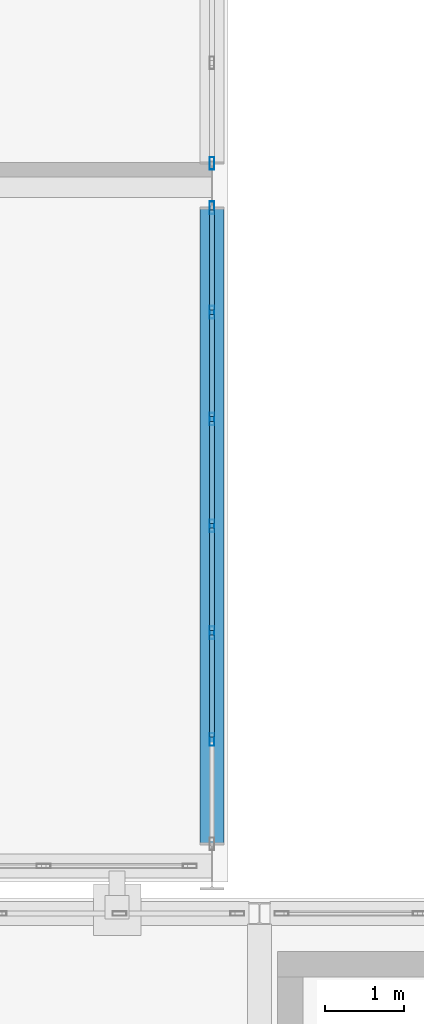
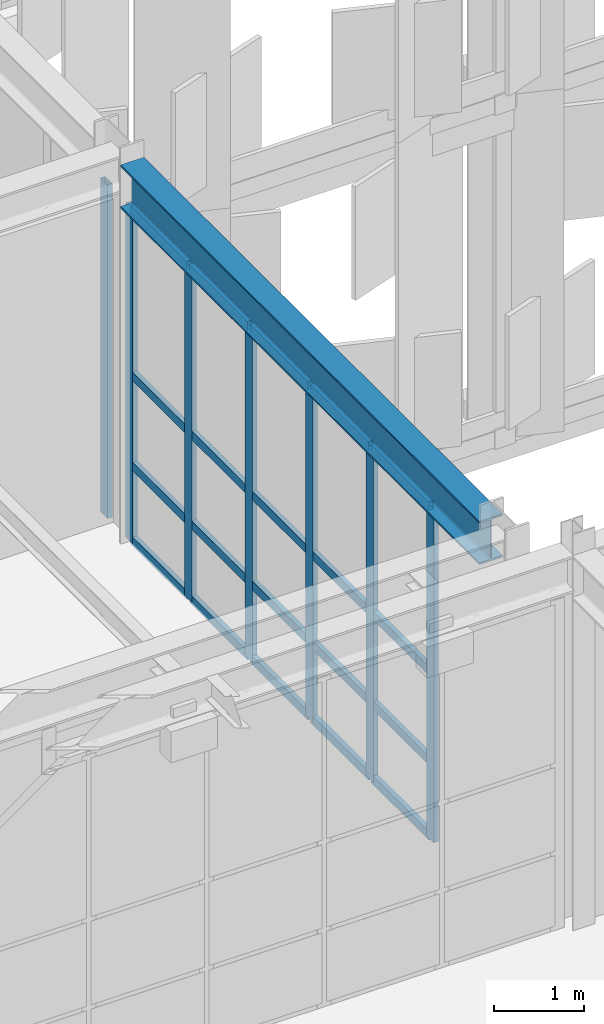
# One storey, part 148 of 239: 27 members, 1 beam, 2 elements without a shape of their own.
"""IFC4 building model written with IfcOpenShell, lengths in metres."""

import ifcopenshell
import ifcopenshell.guid

model = None  # the IFC model being written
_history = None  # IfcOwnerHistory: only IFC2X3 demands one
_inside = {}  # id of a spatial element -> (the spatial element, [elements in it])
_under = {}  # id of a project, library or spatial element -> (it, [spatial elements below it])
_declared = {}  # id of a project -> (the project, [libraries it declares])
_typed = {}  # id of a type object -> (the type object, [elements of that type])
_made_of = {}  # id of a material, layer set ... -> (it, [elements and type objects made of it])


def new_model(schema):
    """Start an empty IFC model of exactly this schema.

    Asked for "IFC4X3", IfcOpenShell would pick the latest addendum, in which some entities
    have other attributes; the version numbers below select the first issue.
    IFC2X3 requires an IfcOwnerHistory on every rooted entity: one is made here for all.
    """
    global model, _history
    if schema == "IFC4X3":
        model = ifcopenshell.file(schema_version=(4, 3, 0, 0))
    else:
        model = ifcopenshell.file(schema=schema)
    _inside.clear()
    _under.clear()
    _declared.clear()
    _typed.clear()
    _made_of.clear()
    _history = None
    if model.schema == "IFC2X3":
        org = make("IfcOrganization", Name="unknown")
        user = make(
            "IfcPersonAndOrganization",
            ThePerson=make("IfcPerson", FamilyName="unknown"),
            TheOrganization=org,
        )
        app = make(
            "IfcApplication",
            ApplicationDeveloper=org,
            Version="unknown",
            ApplicationFullName="unknown",
            ApplicationIdentifier="unknown",
        )
        _history = make(
            "IfcOwnerHistory",
            OwningUser=user,
            OwningApplication=app,
            ChangeAction="ADDED",
            CreationDate=0,
        )
    return model


def make(cls, **values):
    """One entity of the class cls with the attributes given. An attribute that is None is left unset."""
    return model.create_entity(
        cls, **{name: value for name, value in values.items() if value is not None}
    )


def rooted(cls, **values):
    """An entity with a GlobalId (a new one), such as an element, a storey or a relation."""
    return make(cls, GlobalId=ifcopenshell.guid.new(), OwnerHistory=_history, **values)


def si_unit(unit_type, name, prefix=None):
    """IfcSIUnit, for example si_unit("LENGTHUNIT", "METRE", prefix="MILLI")."""
    return make("IfcSIUnit", UnitType=unit_type, Prefix=prefix, Name=name)


def assignment(units):
    """IfcUnitAssignment: the units of a project."""
    return None if units is None else make("IfcUnitAssignment", Units=units)


def point(xyz):
    """IfcCartesianPoint."""
    return None if xyz is None else make("IfcCartesianPoint", Coordinates=xyz)


def direction(xyz):
    """IfcDirection."""
    return None if xyz is None else make("IfcDirection", DirectionRatios=xyz)


def frame(location, z_axis=None, x_axis=None):
    """IfcAxis2Placement3D, a coordinate frame: its origin and axes. An axis left out is left unset."""
    return make(
        "IfcAxis2Placement3D",
        Location=point(location),
        Axis=direction(z_axis),
        RefDirection=direction(x_axis),
    )


def frame_2d(location, x_axis=None):
    """IfcAxis2Placement2D, a coordinate frame in the plane: its origin and x axis."""
    return make(
        "IfcAxis2Placement2D", Location=point(location), RefDirection=direction(x_axis)
    )


def origin():
    """The frame at (0, 0, 0) with its axes left unset."""
    return frame((0.0, 0.0, 0.0))


def origin_2d():
    """The frame at (0, 0) in the plane with its x axis left unset."""
    return frame_2d((0.0, 0.0))


def place(relative_to, where):
    """IfcLocalPlacement: puts the frame where relative to a parent placement (None: the world)."""
    return make(
        "IfcLocalPlacement", PlacementRelTo=relative_to, RelativePlacement=where
    )


def context(
    kind, dimensions, precision=None, world=None, true_north=None, identifier=None
):
    """IfcGeometricRepresentationContext, for example the 3D "Model" context."""
    return make(
        "IfcGeometricRepresentationContext",
        ContextIdentifier=identifier,
        ContextType=kind,
        CoordinateSpaceDimension=dimensions,
        Precision=precision,
        WorldCoordinateSystem=world,
        TrueNorth=true_north,
    )


def subcontext(parent, identifier, kind, view, scale=None):
    """IfcGeometricRepresentationSubContext, for example "Body" below "Model"."""
    return make(
        "IfcGeometricRepresentationSubContext",
        ContextIdentifier=identifier,
        ContextType=kind,
        ParentContext=parent,
        TargetScale=scale,
        TargetView=view,
    )


def project(units=None, contexts=None):
    """IfcProject with its units and contexts."""
    return rooted(
        "IfcProject",
        Name="project",
        RepresentationContexts=contexts,
        UnitsInContext=assignment(units),
    )


def spatial(cls, under=None, at=None, **own):
    """A site, building, storey or space (cls), placed at a placement, below another one or the project."""
    s = rooted(cls, ObjectPlacement=at, **own)
    if under is not None:
        _under.setdefault(under.id(), (under, []))[1].append(s)
    return s


def profile(cls, at=None, kind="AREA", **sizes):
    """A parametric profile (cls). Its sizes go by their IFC names, for example OverallWidth=200.0."""
    return make(cls, ProfileType=kind, Position=at, **sizes)


def hollow_rectangle(**sizes):
    """IfcRectangleHollowProfileDef."""
    return profile("IfcRectangleHollowProfileDef", **sizes)


def i_section(**sizes):
    """IfcIShapeProfileDef."""
    return profile("IfcIShapeProfileDef", **sizes)


def extrude(swept, where, along, depth):
    """IfcExtrudedAreaSolid: the profile swept, set in the frame where, extruded along a direction by depth."""
    return make(
        "IfcExtrudedAreaSolid",
        SweptArea=swept,
        Position=where,
        ExtrudedDirection=direction(along),
        Depth=depth,
    )


def shape(context_of_items, identifier, shape_type, items):
    """IfcShapeRepresentation: the items that make up one representation, for example the "Body"."""
    return make(
        "IfcShapeRepresentation",
        ContextOfItems=context_of_items,
        RepresentationIdentifier=identifier,
        RepresentationType=shape_type,
        Items=items,
    )


def material(Name=None, Category=None):
    """IfcMaterial."""
    return make("IfcMaterial", Name=Name, Category=Category)


def material_profile(
    of_material, cross_section, Name=None, Category=None, Priority=None
):
    """IfcMaterialProfile: a cross section and its material."""
    return make(
        "IfcMaterialProfile",
        Name=Name,
        Material=of_material,
        Profile=cross_section,
        Priority=Priority,
        Category=Category,
    )


def profile_set(profiles, Name=None, composite=None):
    """IfcMaterialProfileSet."""
    return make(
        "IfcMaterialProfileSet",
        Name=Name,
        MaterialProfiles=profiles,
        CompositeProfile=composite,
    )


def made_of(thing, what):
    """Note that an element or type object is made of a material, layer set ...; save() writes the relation."""
    if what is not None:
        _made_of.setdefault(what.id(), (what, []))[1].append(thing)
    return thing


def type_object(cls, material=None, **own):
    """A type object (cls), such as IfcWallType, which elements share."""
    return made_of(rooted(cls, **own), material)


def element(
    cls,
    number,
    at=None,
    inside=None,
    cuts=None,
    type_object=None,
    material=None,
    context=None,
    identifier="Body",
    shape_type=None,
    held_by="IfcProductDefinitionShape",
    body=None,
    shapes=None,
    **own,
):
    """One element of the class cls, such as IfcWall. Its Tag is "e" and its number.

    at: its placement. inside: the storey or other place that contains it. cuts: it is an
    opening in that element (IfcRelVoidsElement). A single representation is given by context,
    identifier, shape_type and body (its items); several are given by shapes. held_by: the class
    of the entity that holds the representations. save() writes the other relations.
    """
    e = rooted(cls, Tag="e%d" % number, ObjectPlacement=at, **own)
    if body is not None:
        shapes = [shape(context, identifier, shape_type, body)]
    if shapes is not None:
        e.Representation = make(held_by, Representations=shapes)
    if inside is not None:
        _inside.setdefault(inside.id(), (inside, []))[1].append(e)
    if cuts is not None:
        rooted(
            "IfcRelVoidsElement", RelatingBuildingElement=cuts, RelatedOpeningElement=e
        )
    if type_object is not None:
        _typed.setdefault(type_object.id(), (type_object, []))[1].append(e)
    return made_of(e, material)


def aggregate(whole, parts):
    """IfcRelAggregates: a whole, such as a stair, and the parts it consists of."""
    return rooted("IfcRelAggregates", RelatingObject=whole, RelatedObjects=parts)


def save(model, path):
    """Write the relations noted so far, then the file.

    IfcRelAggregates (storeys below a building ...), IfcRelContainedInSpatialStructure (elements
    in a storey), IfcRelDefinesByType, IfcRelAssociatesMaterial and IfcRelDeclares: one each for
    every whole, place, type object, material and project.
    """
    for whole, parts in _under.values():
        aggregate(whole, parts)
    for where, things in _inside.values():
        rooted(
            "IfcRelContainedInSpatialStructure",
            RelatedElements=things,
            RelatingStructure=where,
        )
    for kind, things in _typed.values():
        rooted("IfcRelDefinesByType", RelatedObjects=things, RelatingType=kind)
    for what, things in _made_of.values():
        rooted("IfcRelAssociatesMaterial", RelatedObjects=things, RelatingMaterial=what)
    for by, libraries in _declared.values():
        rooted("IfcRelDeclares", RelatingContext=by, RelatedDefinitions=libraries)
    model.write(path)


model = new_model("IFC4")

# Units and contexts
model_context = context("Model", 3, precision=1e-05, world=origin(), true_north=direction((0.0, 1.0)))
body_context = subcontext(model_context, "Body", "Model", "MODEL_VIEW")
ifc_project = project(units=[si_unit("LENGTHUNIT", "METRE"), si_unit("AREAUNIT", "SQUARE_METRE"), si_unit("VOLUMEUNIT", "CUBIC_METRE"), si_unit("PLANEANGLEUNIT", "RADIAN"), si_unit("MASSUNIT", "GRAM", prefix="KILO")], contexts=[model_context])

# Site, building, storey
site_placement = place(None, origin())
site = spatial("IfcSite", under=ifc_project, at=site_placement, CompositionType="ELEMENT")
building_placement = place(site_placement, origin())
building = spatial("IfcBuilding", under=site, at=building_placement, Name="Kaldris Quays Convention Centre", CompositionType="ELEMENT")
storey_placement = place(building_placement, frame((0.0, 0.0, 11.39990234375)))
storey = spatial("IfcBuildingStorey", under=building, at=storey_placement, Name="L02", CompositionType="ELEMENT", Elevation=11.39990234375)

# Curtain wall, members
ifc_material_1 = material(Name="Anodized aluminium AW-6060 and triple glazing", Category="aluminium")
curtain_wall_type = type_object("IfcCurtainWallType", Name="UNITISED CURTAIN WALL CW04", PredefinedType="NOTDEFINED", material=ifc_material_1)
curtain_wall_1_placement = place(storey_placement, origin())
curtain_wall_1 = element("IfcCurtainWall", 1, at=curtain_wall_1_placement, inside=storey, type_object=curtain_wall_type, Name="L02 Unitised Curtain Wall CW04 142", PredefinedType="NOTDEFINED")
ifc_material_2 = material(Name="Anodized aluminium AW-6060", Category="aluminium")
ifc_material_profile_1 = material_profile(ifc_material_2, hollow_rectangle(XDim=0.06005859375, YDim=0.159912109375, WallThickness=0.00390625, at=origin_2d()), Name="RHS 160x60x4")
ifc_profile_set_1 = profile_set([ifc_material_profile_1], Name="Anodized aluminium AW-6060")
member_type_1 = type_object("IfcMemberType", Name="CURTAIN MULLION CWM1", PredefinedType="MULLION", material=ifc_profile_set_1)
member_1_placement = place(storey_placement, frame((164.0, 39.60009765625, 0.0), z_axis=(0.0, 0.0, 1.0), x_axis=(-1.0, 0.0, 0.0)))
member_1 = element("IfcMember", 2, at=member_1_placement, type_object=member_type_1, Name="CW04 mullion 2", PredefinedType="MULLION", context=body_context, shape_type="SweptSolid", body=[
    extrude(hollow_rectangle(XDim=0.06005859375, YDim=0.159912109375, WallThickness=0.00390625, at=origin_2d()), origin(), (0.0, 0.0, 1.0), 4.548095703125),
])
member_2_placement = place(storey_placement, frame((164.0, 40.949951171875, 0.0), z_axis=(0.0, 0.0, 1.0), x_axis=(-1.0, 0.0, 0.0)))
member_2 = element("IfcMember", 3, at=member_2_placement, type_object=member_type_1, Name="CW04 mullion 3", PredefinedType="MULLION", context=body_context, shape_type="SweptSolid", body=[
    extrude(hollow_rectangle(XDim=0.06005859375, YDim=0.159912109375, WallThickness=0.00390625, at=origin_2d()), origin(), (0.0, 0.0, 1.0), 4.548095703125),
])
member_3_placement = place(storey_placement, frame((164.0, 42.300048828125, 0.0), z_axis=(0.0, 0.0, 1.0), x_axis=(-1.0, 0.0, 0.0)))
member_3 = element("IfcMember", 4, at=member_3_placement, type_object=member_type_1, Name="CW04 mullion 4", PredefinedType="MULLION", context=body_context, shape_type="SweptSolid", body=[
    extrude(hollow_rectangle(XDim=0.06005859375, YDim=0.159912109375, WallThickness=0.00390625, at=origin_2d()), origin(), (0.0, 0.0, 1.0), 4.548095703125),
])
member_4_placement = place(storey_placement, frame((164.0, 43.64990234375, 0.0), z_axis=(0.0, 0.0, 1.0), x_axis=(-1.0, 0.0, 0.0)))
member_4 = element("IfcMember", 5, at=member_4_placement, type_object=member_type_1, Name="CW04 mullion 5", PredefinedType="MULLION", context=body_context, shape_type="SweptSolid", body=[
    extrude(hollow_rectangle(XDim=0.06005859375, YDim=0.159912109375, WallThickness=0.00390625, at=origin_2d()), origin(), (0.0, 0.0, 1.0), 4.548095703125),
])
member_5_placement = place(storey_placement, frame((164.0, 45.0, 0.0), z_axis=(0.0, 0.0, 1.0), x_axis=(-1.0, 0.0, 0.0)))
member_5 = element("IfcMember", 6, at=member_5_placement, type_object=member_type_1, Name="CW04 mullion 6", PredefinedType="MULLION", context=body_context, shape_type="SweptSolid", body=[
    extrude(hollow_rectangle(XDim=0.06005859375, YDim=0.159912109375, WallThickness=0.00390625, at=origin_2d()), origin(), (0.0, 0.0, 1.0), 4.548095703125),
])
member_6_placement = place(storey_placement, frame((164.0, 46.320068359375, 0.0), z_axis=(0.0, 0.0, 1.0), x_axis=(-1.0, 0.0, 0.0)))
member_6 = element("IfcMember", 7, at=member_6_placement, type_object=member_type_1, Name="CW04 mullion 7", PredefinedType="MULLION", context=body_context, shape_type="SweptSolid", body=[
    extrude(hollow_rectangle(XDim=0.06005859375, YDim=0.159912109375, WallThickness=0.00390625, at=origin_2d()), origin(), (0.0, 0.0, 1.0), 4.548095703125),
])

# Curtain wall, member
curtain_wall_2_placement = place(storey_placement, origin())
curtain_wall_2 = element("IfcCurtainWall", 8, at=curtain_wall_2_placement, inside=storey, type_object=curtain_wall_type, Name="L02 Unitised Curtain Wall CW04 143", PredefinedType="NOTDEFINED")
member_7_placement = place(storey_placement, frame((164.0, 46.8798828125, 0.0), z_axis=(0.0, 0.0, 1.0), x_axis=(-1.0, 0.0, 0.0)))
member_7 = element("IfcMember", 9, at=member_7_placement, type_object=member_type_1, Name="CW04 mullion 1", PredefinedType="MULLION", context=body_context, shape_type="SweptSolid", body=[
    extrude(hollow_rectangle(XDim=0.06005859375, YDim=0.159912109375, WallThickness=0.00390625, at=origin_2d()), origin(), (0.0, 0.0, 1.0), 4.548095703125),
])
aggregate(curtain_wall_2, [member_7])

# Member
ifc_material_profile_2 = material_profile(ifc_material_2, hollow_rectangle(XDim=0.06005859375, YDim=0.1201171875, WallThickness=0.00390625, at=origin_2d()), Name="RHS 120x60x4")
ifc_profile_set_2 = profile_set([ifc_material_profile_2], Name="Anodized aluminium AW-6060")
member_type_2 = type_object("IfcMemberType", Name="CURTAIN TRANSOM CWT1", PredefinedType="USERDEFINED", material=ifc_profile_set_2)
member_8_placement = place(storey_placement, frame((164.0, 39.6298828125, 0.030029296875), z_axis=(0.0, 1.0, 0.0), x_axis=(-1.0, 0.0, 0.0)))
member_8 = element("IfcMember", 10, at=member_8_placement, type_object=member_type_2, Name="CW04 transom 2.1", ObjectType="TRANSOM", PredefinedType="USERDEFINED", context=body_context, shape_type="SweptSolid", body=[
    extrude(hollow_rectangle(XDim=0.06005859375, YDim=0.1201171875, WallThickness=0.00390625, at=origin_2d()), origin(), (0.0, 0.0, 1.0), 1.2900390625),
])

member_9_placement = place(storey_placement, frame((164.0, 39.6298828125, 1.050048828125), z_axis=(0.0, 1.0, 0.0), x_axis=(-1.0, 0.0, 0.0)))
member_9 = element("IfcMember", 11, at=member_9_placement, type_object=member_type_2, Name="CW04 transom 2.2", ObjectType="TRANSOM", PredefinedType="USERDEFINED", context=body_context, shape_type="SweptSolid", body=[
    extrude(hollow_rectangle(XDim=0.06005859375, YDim=0.1201171875, WallThickness=0.00390625, at=origin_2d()), origin(), (0.0, 0.0, 1.0), 1.2900390625),
])

member_10_placement = place(storey_placement, frame((164.0, 39.6298828125, 2.274169921875), z_axis=(0.0, 1.0, 0.0), x_axis=(-1.0, 0.0, 0.0)))
member_10 = element("IfcMember", 12, at=member_10_placement, type_object=member_type_2, Name="CW04 transom 2.3", ObjectType="TRANSOM", PredefinedType="USERDEFINED", context=body_context, shape_type="SweptSolid", body=[
    extrude(hollow_rectangle(XDim=0.06005859375, YDim=0.1201171875, WallThickness=0.00390625, at=origin_2d()), origin(), (0.0, 0.0, 1.0), 1.2900390625),
])

member_11_placement = place(storey_placement, frame((164.0, 39.6298828125, 4.51806640625), z_axis=(0.0, 1.0, 0.0), x_axis=(-1.0, 0.0, 0.0)))
member_11 = element("IfcMember", 13, at=member_11_placement, type_object=member_type_2, Name="CW04 transom 2.4", ObjectType="TRANSOM", PredefinedType="USERDEFINED", context=body_context, shape_type="SweptSolid", body=[
    extrude(hollow_rectangle(XDim=0.06005859375, YDim=0.1201171875, WallThickness=0.00390625, at=origin_2d()), origin(), (0.0, 0.0, 1.0), 1.2900390625),
])

member_12_placement = place(storey_placement, frame((164.0, 40.97998046875, 0.030029296875), z_axis=(0.0, 1.0, 0.0), x_axis=(-1.0, 0.0, 0.0)))
member_12 = element("IfcMember", 14, at=member_12_placement, type_object=member_type_2, Name="CW04 transom 3.1", ObjectType="TRANSOM", PredefinedType="USERDEFINED", context=body_context, shape_type="SweptSolid", body=[
    extrude(hollow_rectangle(XDim=0.06005859375, YDim=0.1201171875, WallThickness=0.00390625, at=origin_2d()), origin(), (0.0, 0.0, 1.0), 1.2900390625),
])

member_13_placement = place(storey_placement, frame((164.0, 40.97998046875, 1.050048828125), z_axis=(0.0, 1.0, 0.0), x_axis=(-1.0, 0.0, 0.0)))
member_13 = element("IfcMember", 15, at=member_13_placement, type_object=member_type_2, Name="CW04 transom 3.2", ObjectType="TRANSOM", PredefinedType="USERDEFINED", context=body_context, shape_type="SweptSolid", body=[
    extrude(hollow_rectangle(XDim=0.06005859375, YDim=0.1201171875, WallThickness=0.00390625, at=origin_2d()), origin(), (0.0, 0.0, 1.0), 1.2900390625),
])

member_14_placement = place(storey_placement, frame((164.0, 40.97998046875, 2.274169921875), z_axis=(0.0, 1.0, 0.0), x_axis=(-1.0, 0.0, 0.0)))
member_14 = element("IfcMember", 16, at=member_14_placement, type_object=member_type_2, Name="CW04 transom 3.3", ObjectType="TRANSOM", PredefinedType="USERDEFINED", context=body_context, shape_type="SweptSolid", body=[
    extrude(hollow_rectangle(XDim=0.06005859375, YDim=0.1201171875, WallThickness=0.00390625, at=origin_2d()), origin(), (0.0, 0.0, 1.0), 1.2900390625),
])

member_15_placement = place(storey_placement, frame((164.0, 40.97998046875, 4.51806640625), z_axis=(0.0, 1.0, 0.0), x_axis=(-1.0, 0.0, 0.0)))
member_15 = element("IfcMember", 17, at=member_15_placement, type_object=member_type_2, Name="CW04 transom 3.4", ObjectType="TRANSOM", PredefinedType="USERDEFINED", context=body_context, shape_type="SweptSolid", body=[
    extrude(hollow_rectangle(XDim=0.06005859375, YDim=0.1201171875, WallThickness=0.00390625, at=origin_2d()), origin(), (0.0, 0.0, 1.0), 1.2900390625),
])

member_16_placement = place(storey_placement, frame((164.0, 42.330078125, 0.030029296875), z_axis=(0.0, 1.0, 0.0), x_axis=(-1.0, 0.0, 0.0)))
member_16 = element("IfcMember", 18, at=member_16_placement, type_object=member_type_2, Name="CW04 transom 4.1", ObjectType="TRANSOM", PredefinedType="USERDEFINED", context=body_context, shape_type="SweptSolid", body=[
    extrude(hollow_rectangle(XDim=0.06005859375, YDim=0.1201171875, WallThickness=0.00390625, at=origin_2d()), origin(), (0.0, 0.0, 1.0), 1.2900390625),
])

member_17_placement = place(storey_placement, frame((164.0, 42.330078125, 1.050048828125), z_axis=(0.0, 1.0, 0.0), x_axis=(-1.0, 0.0, 0.0)))
member_17 = element("IfcMember", 19, at=member_17_placement, type_object=member_type_2, Name="CW04 transom 4.2", ObjectType="TRANSOM", PredefinedType="USERDEFINED", context=body_context, shape_type="SweptSolid", body=[
    extrude(hollow_rectangle(XDim=0.06005859375, YDim=0.1201171875, WallThickness=0.00390625, at=origin_2d()), origin(), (0.0, 0.0, 1.0), 1.2900390625),
])

member_18_placement = place(storey_placement, frame((164.0, 42.330078125, 2.274169921875), z_axis=(0.0, 1.0, 0.0), x_axis=(-1.0, 0.0, 0.0)))
member_18 = element("IfcMember", 20, at=member_18_placement, type_object=member_type_2, Name="CW04 transom 4.3", ObjectType="TRANSOM", PredefinedType="USERDEFINED", context=body_context, shape_type="SweptSolid", body=[
    extrude(hollow_rectangle(XDim=0.06005859375, YDim=0.1201171875, WallThickness=0.00390625, at=origin_2d()), origin(), (0.0, 0.0, 1.0), 1.2900390625),
])

member_19_placement = place(storey_placement, frame((164.0, 42.330078125, 4.51806640625), z_axis=(0.0, 1.0, 0.0), x_axis=(-1.0, 0.0, 0.0)))
member_19 = element("IfcMember", 21, at=member_19_placement, type_object=member_type_2, Name="CW04 transom 4.4", ObjectType="TRANSOM", PredefinedType="USERDEFINED", context=body_context, shape_type="SweptSolid", body=[
    extrude(hollow_rectangle(XDim=0.06005859375, YDim=0.1201171875, WallThickness=0.00390625, at=origin_2d()), origin(), (0.0, 0.0, 1.0), 1.2900390625),
])

member_20_placement = place(storey_placement, frame((164.0, 43.679931640625, 0.030029296875), z_axis=(0.0, 1.0, 0.0), x_axis=(-1.0, 0.0, 0.0)))
member_20 = element("IfcMember", 22, at=member_20_placement, type_object=member_type_2, Name="CW04 transom 5.1", ObjectType="TRANSOM", PredefinedType="USERDEFINED", context=body_context, shape_type="SweptSolid", body=[
    extrude(hollow_rectangle(XDim=0.06005859375, YDim=0.1201171875, WallThickness=0.00390625, at=origin_2d()), origin(), (0.0, 0.0, 1.0), 1.2900390625),
])

member_21_placement = place(storey_placement, frame((164.0, 43.679931640625, 1.050048828125), z_axis=(0.0, 1.0, 0.0), x_axis=(-1.0, 0.0, 0.0)))
member_21 = element("IfcMember", 23, at=member_21_placement, type_object=member_type_2, Name="CW04 transom 5.2", ObjectType="TRANSOM", PredefinedType="USERDEFINED", context=body_context, shape_type="SweptSolid", body=[
    extrude(hollow_rectangle(XDim=0.06005859375, YDim=0.1201171875, WallThickness=0.00390625, at=origin_2d()), origin(), (0.0, 0.0, 1.0), 1.2900390625),
])

member_22_placement = place(storey_placement, frame((164.0, 43.679931640625, 2.274169921875), z_axis=(0.0, 1.0, 0.0), x_axis=(-1.0, 0.0, 0.0)))
member_22 = element("IfcMember", 24, at=member_22_placement, type_object=member_type_2, Name="CW04 transom 5.3", ObjectType="TRANSOM", PredefinedType="USERDEFINED", context=body_context, shape_type="SweptSolid", body=[
    extrude(hollow_rectangle(XDim=0.06005859375, YDim=0.1201171875, WallThickness=0.00390625, at=origin_2d()), origin(), (0.0, 0.0, 1.0), 1.2900390625),
])

member_23_placement = place(storey_placement, frame((164.0, 43.679931640625, 4.51806640625), z_axis=(0.0, 1.0, 0.0), x_axis=(-1.0, 0.0, 0.0)))
member_23 = element("IfcMember", 25, at=member_23_placement, type_object=member_type_2, Name="CW04 transom 5.4", ObjectType="TRANSOM", PredefinedType="USERDEFINED", context=body_context, shape_type="SweptSolid", body=[
    extrude(hollow_rectangle(XDim=0.06005859375, YDim=0.1201171875, WallThickness=0.00390625, at=origin_2d()), origin(), (0.0, 0.0, 1.0), 1.2900390625),
])

member_24_placement = place(storey_placement, frame((164.0, 45.030029296875, 0.030029296875), z_axis=(0.0, 1.0, 0.0), x_axis=(-1.0, 0.0, 0.0)))
member_24 = element("IfcMember", 26, at=member_24_placement, type_object=member_type_2, Name="CW04 transom 6.1", ObjectType="TRANSOM", PredefinedType="USERDEFINED", context=body_context, shape_type="SweptSolid", body=[
    extrude(hollow_rectangle(XDim=0.06005859375, YDim=0.1201171875, WallThickness=0.00390625, at=origin_2d()), origin(), (0.0, 0.0, 1.0), 1.260009765625),
])

member_25_placement = place(storey_placement, frame((164.0, 45.030029296875, 1.050048828125), z_axis=(0.0, 1.0, 0.0), x_axis=(-1.0, 0.0, 0.0)))
member_25 = element("IfcMember", 27, at=member_25_placement, type_object=member_type_2, Name="CW04 transom 6.2", ObjectType="TRANSOM", PredefinedType="USERDEFINED", context=body_context, shape_type="SweptSolid", body=[
    extrude(hollow_rectangle(XDim=0.06005859375, YDim=0.1201171875, WallThickness=0.00390625, at=origin_2d()), origin(), (0.0, 0.0, 1.0), 1.260009765625),
])

member_26_placement = place(storey_placement, frame((164.0, 45.030029296875, 2.274169921875), z_axis=(0.0, 1.0, 0.0), x_axis=(-1.0, 0.0, 0.0)))
member_26 = element("IfcMember", 28, at=member_26_placement, type_object=member_type_2, Name="CW04 transom 6.3", ObjectType="TRANSOM", PredefinedType="USERDEFINED", context=body_context, shape_type="SweptSolid", body=[
    extrude(hollow_rectangle(XDim=0.06005859375, YDim=0.1201171875, WallThickness=0.00390625, at=origin_2d()), origin(), (0.0, 0.0, 1.0), 1.260009765625),
])

member_27_placement = place(storey_placement, frame((164.0, 45.030029296875, 4.51806640625), z_axis=(0.0, 1.0, 0.0), x_axis=(-1.0, 0.0, 0.0)))
member_27 = element("IfcMember", 29, at=member_27_placement, type_object=member_type_2, Name="CW04 transom 6.4", ObjectType="TRANSOM", PredefinedType="USERDEFINED", context=body_context, shape_type="SweptSolid", body=[
    extrude(hollow_rectangle(XDim=0.06005859375, YDim=0.1201171875, WallThickness=0.00390625, at=origin_2d()), origin(), (0.0, 0.0, 1.0), 1.260009765625),
])

aggregate(curtain_wall_1, [member_1, member_2, member_3, member_4, member_5, member_6, member_8, member_9, member_10, member_11, member_12, member_13, member_14, member_15, member_16, member_17, member_18, member_19, member_20, member_21, member_22, member_23, member_24, member_25, member_26, member_27])

# Beam
ifc_material_3 = material(Name="Steel S355J2", Category="steel")
ifc_material_profile_3 = material_profile(ifc_material_3, i_section(OverallWidth=0.300048828125, OverallDepth=0.590087890625, WebThickness=0.012939453125, FlangeThickness=0.02490234375, FilletRadius=0.027099609375, at=origin_2d()), Name="HEA 600")
ifc_profile_set_3 = profile_set([ifc_material_profile_3], Name="Steel S355J2")
beam_type = type_object("IfcBeamType", Name="STRUCTURAL BEAM BM08", PredefinedType="BEAM", material=ifc_profile_set_3)
beam_placement = place(storey_placement, frame((164.0, 38.2939453125, 4.8681640625), z_axis=(0.0, 1.0, 0.0), x_axis=(-1.0, 0.0, 0.0)))
element("IfcBeam", 30, at=beam_placement, inside=storey, type_object=beam_type, Name="L02 Girder BM08 90", PredefinedType="BEAM", context=body_context, shape_type="SweptSolid", body=[
    extrude(i_section(OverallWidth=0.300048828125, OverallDepth=0.590087890625, WebThickness=0.012939453125, FlangeThickness=0.02490234375, FilletRadius=0.027099609375, at=origin_2d()), origin(), (0.0, 0.0, 1.0), 8.011962890625),
])

save(model, "model.ifc")
